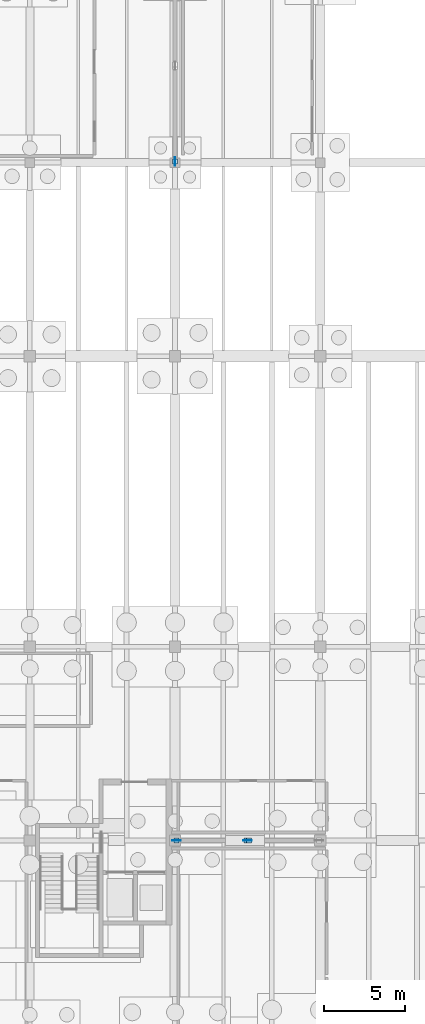
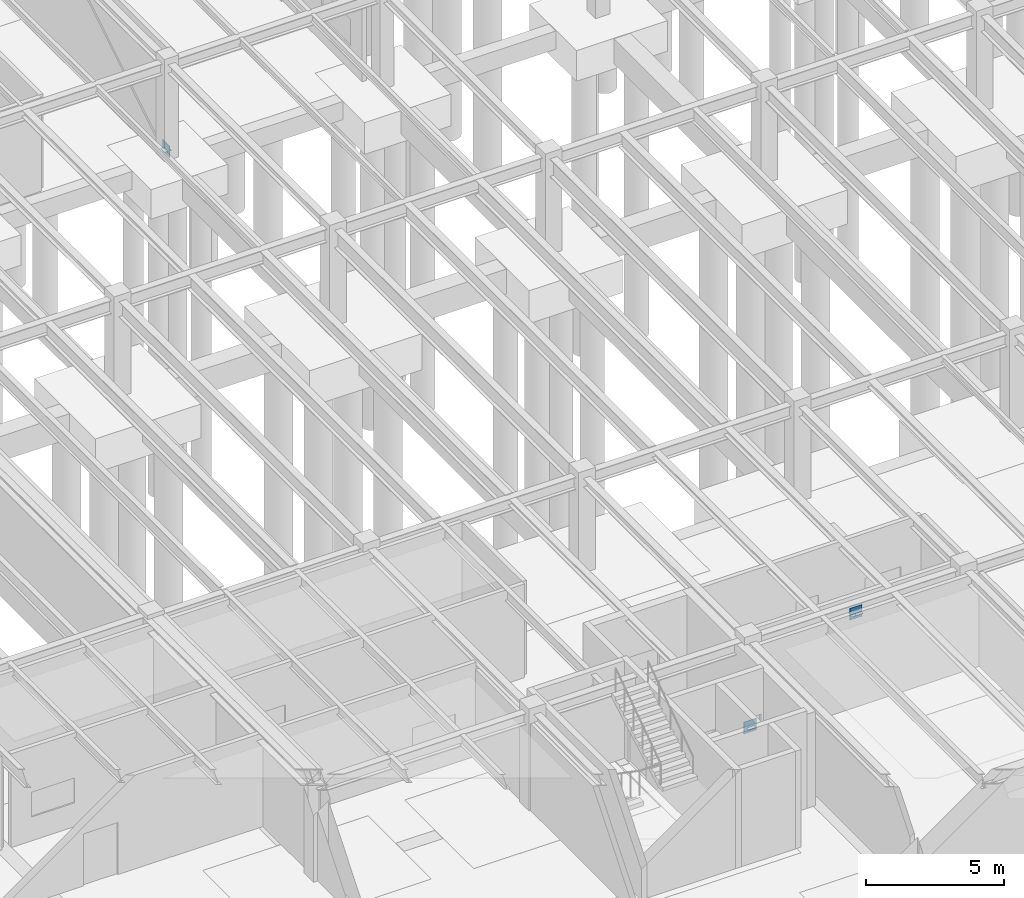
# One storey, part 23 of 40: 7 plates.
"""IFC4 building model written with IfcOpenShell, lengths in metres."""

from ifc_helpers import new_model, si_unit, direction, frame, origin, origin_2d, place, context, subcontext, project, spatial, rectangle, extrude, material, layer, layer_set, type_object, element, save


model = new_model("IFC4")

# Units and contexts
model_context = context("Model", 3, precision=1e-05, world=origin(), true_north=direction((0.0, 1.0)))
body_context = subcontext(model_context, "Body", "Model", "MODEL_VIEW")
ifc_project = project(units=[si_unit("LENGTHUNIT", "METRE"), si_unit("AREAUNIT", "SQUARE_METRE"), si_unit("VOLUMEUNIT", "CUBIC_METRE"), si_unit("PLANEANGLEUNIT", "RADIAN"), si_unit("MASSUNIT", "GRAM", prefix="KILO")], contexts=[model_context])

# Site, building, storey
site_placement = place(None, origin())
site = spatial("IfcSite", under=ifc_project, at=site_placement, CompositionType="ELEMENT")
building_placement = place(site_placement, origin())
building = spatial("IfcBuilding", under=site, at=building_placement, Name="Montelvaro Courts of Justice", CompositionType="ELEMENT")
storey_placement = place(building_placement, frame((0.0, 0.0, -4.5)))
storey = spatial("IfcBuildingStorey", under=building, at=storey_placement, Name="B01", CompositionType="ELEMENT", Elevation=-4.5)

# Plates
ifc_material = material(Name="Steel S355", Category="steel")
ifc_layer_1 = layer(ifc_material, 0.011962890625)
ifc_layer_set_1 = layer_set([ifc_layer_1], Name="Steel S355")
plate_type_1 = type_object("IfcPlateType", Name="EndCapPlate_12", PredefinedType="USERDEFINED", material=ifc_layer_set_1)
for number, where, z_axis, x_axis, name in (
    (1, (117.080078125, 12.0, 0.19384765625), (0.0, 0.0, 1.0), (1.0, 0.0, 0.0), "Brace End Cap Plate CP-01 CBF2-B01-1A"),
    (2, (121.419921875, 12.0, 3.6640625), (0.0, 0.0, 1.0), (1.0, 0.0, 0.0), "Brace End Cap Plate CP-01 CBF2-B01-1B"),
    (3, (121.580078125, 12.0, 3.6640625), (0.0, 0.0, 1.0), (1.0, 0.0, 0.0), "Brace End Cap Plate CP-01 CBF2-B01-2B"),
    (4, (117.0, 54.080078125, 0.19384765625), (0.0, 0.0, 1.0), (1.0, 0.0, 0.0), "Brace End Cap Plate CP-01 CBF4-B01-1A"),
):
    element("IfcPlate", number, at=place(storey_placement, frame(where, z_axis=z_axis, x_axis=x_axis)), inside=storey, type_object=plate_type_1, Name=name, ObjectType="GUSSET PLATE", PredefinedType="USERDEFINED", context=body_context, shape_type="SweptSolid", body=[
        extrude(rectangle(XDim=0.300048828125, YDim=0.300048828125, at=origin_2d()), origin(), (0.0, 0.0, 1.0), 0.011962890625),
    ])
ifc_layer_2 = layer(ifc_material, 0.02001953125)
ifc_layer_set_2 = layer_set([ifc_layer_2], Name="Steel S355")
plate_type_2 = type_object("IfcPlateType", Name="GussetPlate_20", PredefinedType="USERDEFINED", material=ifc_layer_set_2)
for number, where, z_axis, x_axis, name in (
    (5, (117.080078125, 12.0, -0.02001953125), (0.0, 0.0, 1.0), (1.0, 0.0, 0.0), "Chevron Brace Base Gusset Plate GP-01 CBF2-B01-B1"),
    (6, (121.5, 12.0, 3.449951171875), (0.0, 0.0, 1.0), (1.0, 0.0, 0.0), "Chevron Brace Gusset Plate GP-01 CBF2-B01"),
):
    element("IfcPlate", number, at=place(storey_placement, frame(where, z_axis=z_axis, x_axis=x_axis)), inside=storey, type_object=plate_type_2, Name=name, ObjectType="GUSSET PLATE", PredefinedType="USERDEFINED", context=body_context, shape_type="SweptSolid", body=[
        extrude(rectangle(XDim=0.52001953125, YDim=0.02001953125, at=origin_2d()), origin(), (0.0, 0.0, 1.0), 0.52001953125),
    ])
plate_placement = place(storey_placement, frame((117.0, 54.080078125, -0.02001953125), z_axis=(0.0, 0.0, 1.0), x_axis=(1.0, 0.0, 0.0)))
element("IfcPlate", 7, at=plate_placement, inside=storey, type_object=plate_type_2, Name="Chevron Brace Base Gusset Plate GP-01 CBF4-B01-B1", ObjectType="GUSSET PLATE", PredefinedType="USERDEFINED", context=body_context, shape_type="SweptSolid", body=[
    extrude(rectangle(XDim=0.02001953125, YDim=0.52001953125, at=origin_2d()), origin(), (0.0, 0.0, 1.0), 0.52001953125),
])

save(model, "model.ifc")
